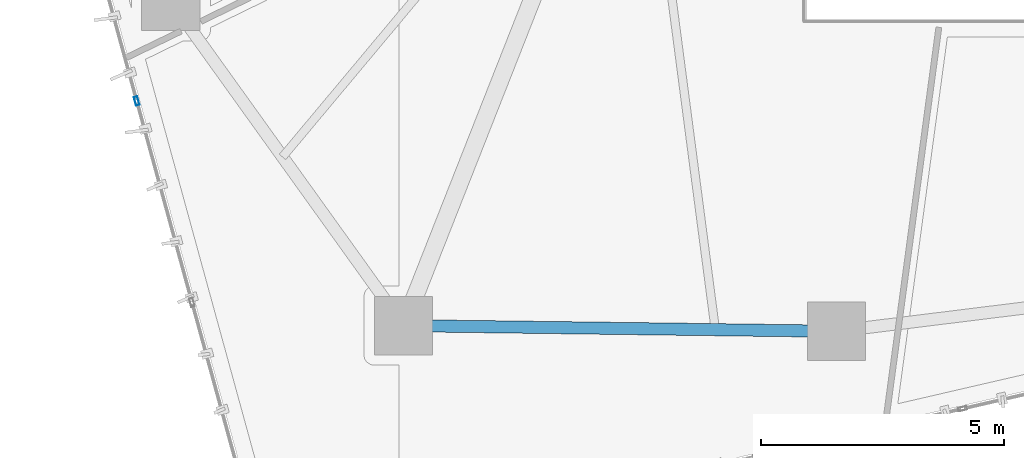
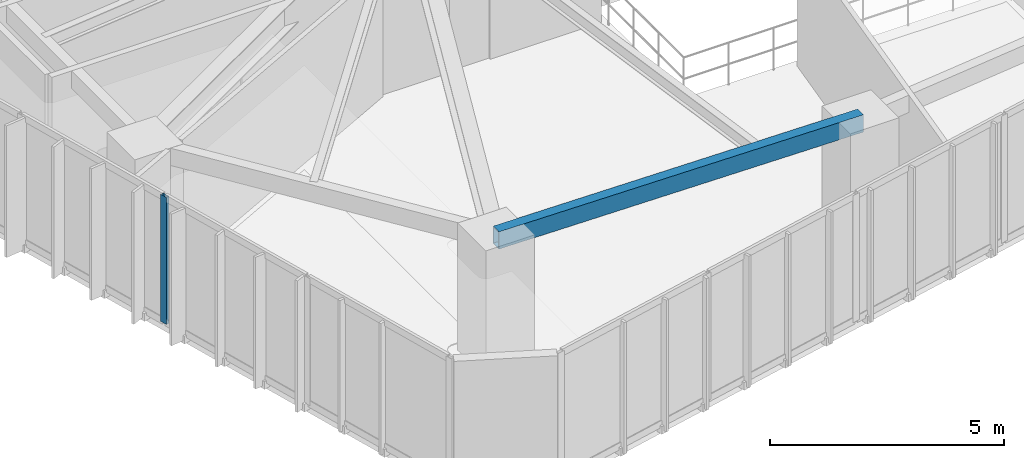
# One storey, part 3 of 21: 1 beam, 1 member, 1 element without a shape of its own.
"""IFC4 building model written with IfcOpenShell, lengths in metres."""

from ifc_helpers import new_model, si_unit, direction, frame, origin, origin_2d, place, context, subcontext, project, spatial, hollow_rectangle, extrude, source, transform, mapped, material, layer, layer_set, material_profile, profile_set, type_object, type_shapes, element, aggregate, save


model = new_model("IFC4")

# Units and contexts
model_context = context("Model", 3, precision=1e-05, world=origin(), true_north=direction((0.0, 1.0)))
body_context = subcontext(model_context, "Body", "Model", "MODEL_VIEW")
ifc_project = project(units=[si_unit("LENGTHUNIT", "METRE"), si_unit("AREAUNIT", "SQUARE_METRE"), si_unit("VOLUMEUNIT", "CUBIC_METRE"), si_unit("PLANEANGLEUNIT", "RADIAN"), si_unit("MASSUNIT", "GRAM", prefix="KILO")], contexts=[model_context])

# Site, building, storey
site_placement = place(None, origin())
site = spatial("IfcSite", under=ifc_project, at=site_placement, CompositionType="ELEMENT")
building_placement = place(site_placement, origin())
building = spatial("IfcBuilding", under=site, at=building_placement, Name="Talar Marvaseh", CompositionType="ELEMENT")
storey_placement = place(building_placement, frame((0.0, 0.0, 129.0)))
storey = spatial("IfcBuildingStorey", under=building, at=storey_placement, Name="L33", CompositionType="ELEMENT", Elevation=129.0)

# Beam
ifc_material_1 = material(Name="Steel S355", Category="steel")
ifc_material_profile_1 = material_profile(ifc_material_1, hollow_rectangle(XDim=0.25, YDim=0.449951171875, WallThickness=0.01611328125, at=origin_2d()), Name="RHS450x250x16")
ifc_profile_set_1 = profile_set([ifc_material_profile_1], Name="Steel S355")
beam_type = type_object("IfcBeamType", Name="Zone 2 Perimeter Spandrel Beam RHS450x250x16", PredefinedType="SPANDREL", material=ifc_profile_set_1)
beam_placement = place(storey_placement, frame((22.804931640625, 13.18310546875, 3.0849609375), z_axis=(-0.999915383581, 0.013008677034, 0.0), x_axis=(-0.013008677034, -0.999915383581, 0.0)))
element("IfcBeam", 1, at=beam_placement, inside=storey, type_object=beam_type, Name="L33 Zone 2 Perimeter Spandrel Beam RHS450x250x16", PredefinedType="SPANDREL", context=body_context, shape_type="SweptSolid", body=[
    extrude(hollow_rectangle(XDim=0.25, YDim=0.449951171875, WallThickness=0.01611328125, at=origin_2d()), origin(), (0.0, 0.0, 1.0), 8.91455078125),
])

# Curtain wall, member
ifc_material_2 = material(Name="Architectural Aluminium", Category="aluminium")
ifc_layer = layer(ifc_material_2, 0.199951171875)
ifc_layer_set = layer_set([ifc_layer], Name="Architectural Aluminium")
curtain_wall_type = type_object("IfcCurtainWallType", Name="Unitised Acoustic Library Curtain Wall Z2", PredefinedType="NOTDEFINED", material=ifc_layer_set)
curtain_wall_placement = place(storey_placement, origin())
curtain_wall = element("IfcCurtainWall", 2, at=curtain_wall_placement, inside=storey, type_object=curtain_wall_type, Name="L33 Unitised Acoustic Library Curtain Wall Z2", PredefinedType="NOTDEFINED")
ifc_material_profile_2 = material_profile(ifc_material_2, hollow_rectangle(XDim=0.074951171875, YDim=0.179931640625, WallThickness=0.0048828125, at=origin_2d()), Name="RHS180x75x5")
ifc_profile_set_2 = profile_set([ifc_material_profile_2], Name="Architectural Aluminium")
member_type = type_object("IfcMemberType", Name="Unitised Curtain Wall Standard Mullion RHS180x75x5", PredefinedType="MULLION", material=ifc_profile_set_2)
shared_shape = source(origin(), body_context, "Body", "SweptSolid", [
    extrude(hollow_rectangle(XDim=0.074951171875, YDim=0.179931640625, WallThickness=0.0048828125, at=origin_2d()), origin(), (0.0, 0.0, 1.0), 3.31005859375),
])
type_shapes(member_type, [shared_shape])
member_placement = place(storey_placement, frame((8.399169921875, 17.923583984375, 0.0), z_axis=(0.0, 0.0, 1.0), x_axis=(-0.964345274109, -0.264647297933, 0.0)))
member = element("IfcMember", 3, at=member_placement, type_object=member_type, Name="CW-Z2 mullion 3", PredefinedType="MULLION", context=body_context, shape_type="MappedRepresentation", body=[
    mapped(shared_shape, transform((0.0, 0.0, 0.0), x_axis=(1.0, 0.0, 0.0), y_axis=(0.0, 1.0, 0.0), z_axis=(0.0, 0.0, 1.0), scale=1.0)),
])
aggregate(curtain_wall, [member])

save(model, "model.ifc")
